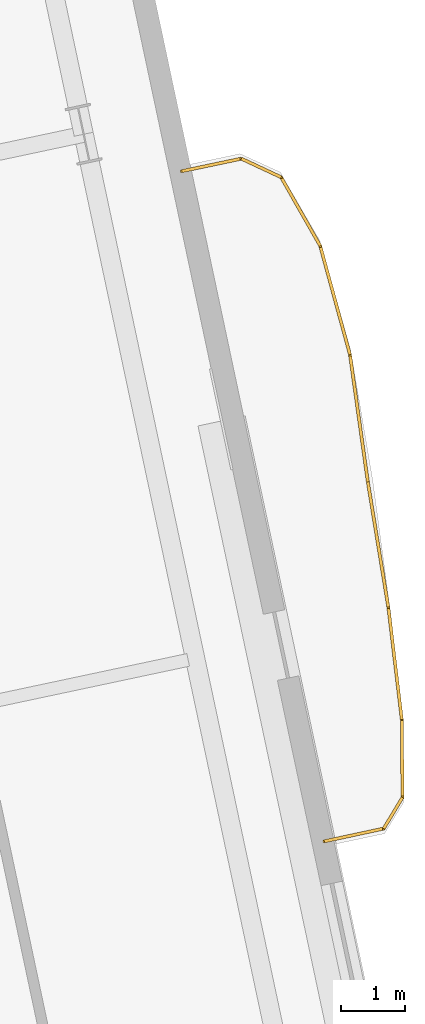
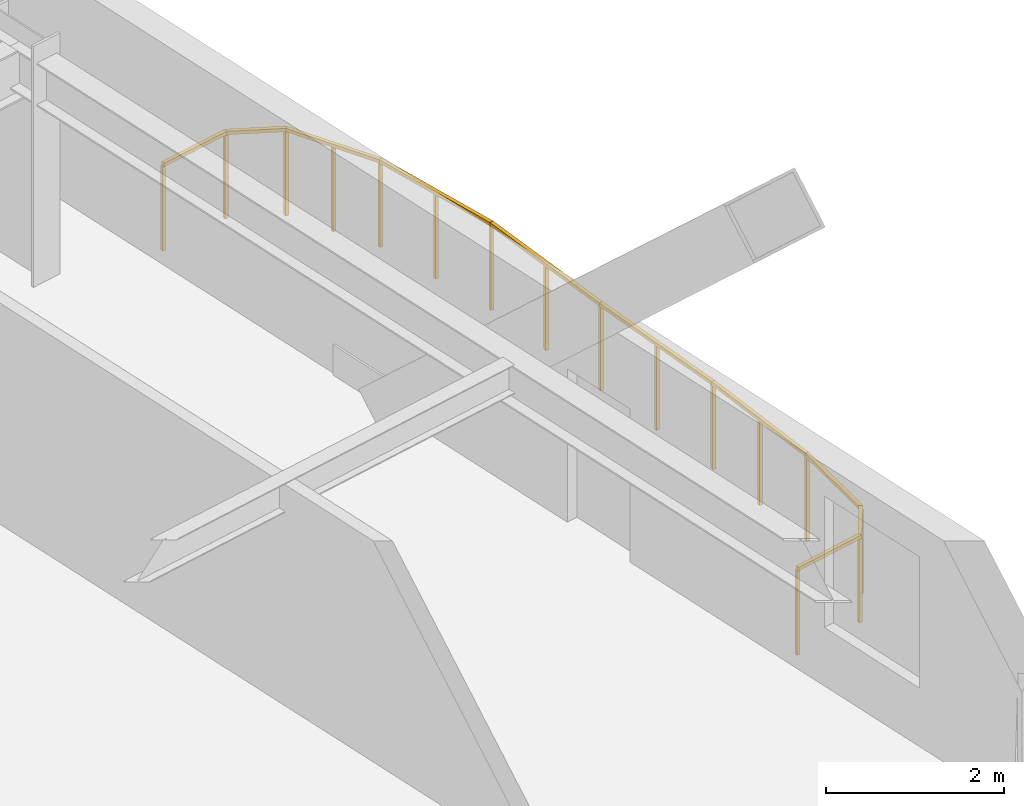
# One storey, part 17 of 17: 10 railings.
"""IFC4 building model written with IfcOpenShell, lengths in metres."""

from ifc_helpers import new_model, si_unit, direction, frame, origin, origin_2d, place, context, subcontext, project, spatial, rectangle, extrude, material, type_object, element, save


model = new_model("IFC4")

# Units and contexts
model_context = context("Model", 3, precision=1e-05, world=origin(), true_north=direction((0.0, 1.0)))
body_context = subcontext(model_context, "Body", "Model", "MODEL_VIEW")
ifc_project = project(units=[si_unit("LENGTHUNIT", "METRE"), si_unit("AREAUNIT", "SQUARE_METRE"), si_unit("VOLUMEUNIT", "CUBIC_METRE"), si_unit("PLANEANGLEUNIT", "RADIAN"), si_unit("MASSUNIT", "GRAM", prefix="KILO")], contexts=[model_context])

# Site, building, storey
site_placement = place(None, origin())
site = spatial("IfcSite", under=ifc_project, at=site_placement, CompositionType="ELEMENT")
building_placement = place(site_placement, origin())
building = spatial("IfcBuilding", under=site, at=building_placement, Name="Haevon Station Towers", CompositionType="ELEMENT")
storey_placement = place(building_placement, frame((0.0, 0.0, 40.5)))
storey = spatial("IfcBuildingStorey", under=building, at=storey_placement, Name="L09", CompositionType="ELEMENT", Elevation=40.5)

# Railings
ifc_material = material(Name="Steel S355", Category="steel")
railing_type = type_object("IfcRailingType", Name="GRD-EXT1200", PredefinedType="GUARDRAIL", material=ifc_material)
railing_1_placement = place(storey_placement, frame((138.47021484375, 28.175537109375, 0.0)))
element("IfcRailing", 1, at=railing_1_placement, inside=storey, type_object=railing_type, Name="L09 Perimeter Guardrail 1", PredefinedType="GUARDRAIL", context=body_context, shape_type="SweptSolid", body=[
    extrude(rectangle(XDim=0.048095703125, YDim=0.048095703125, at=origin_2d()), frame((0.0, 0.0, 1.17578125), z_axis=(0.977684892297, 0.210076774952, 0.0), x_axis=(-0.210076774952, 0.977684892297, 0.0)), (0.0, 0.0, 1.0), 0.943603515625),
    extrude(rectangle(XDim=0.0419921875, YDim=0.0419921875, at=origin_2d()), origin(), (0.0, 0.0, 1.0), 1.15185546875),
    extrude(rectangle(XDim=0.0419921875, YDim=0.0419921875, at=origin_2d()), frame((0.922607421875, 0.1982421875, 0.0)), (0.0, 0.0, 1.0), 1.15185546875),
])
railing_2_placement = place(storey_placement, frame((139.392822265625, 28.373779296875, 0.0)))
element("IfcRailing", 2, at=railing_2_placement, inside=storey, type_object=railing_type, Name="L09 Perimeter Guardrail 2", PredefinedType="GUARDRAIL", context=body_context, shape_type="SweptSolid", body=[
    extrude(rectangle(XDim=0.048095703125, YDim=0.048095703125, at=origin_2d()), frame((0.0, 0.0, 1.17578125), z_axis=(0.516725234501, 0.856151290386, 0.0), x_axis=(-0.856151290386, 0.516725234501, 0.0)), (0.0, 0.0, 1.0), 0.563232421875),
    extrude(rectangle(XDim=0.0419921875, YDim=0.0419921875, at=origin_2d()), origin(), (0.0, 0.0, 1.0), 1.15185546875),
    extrude(rectangle(XDim=0.0419921875, YDim=0.0419921875, at=origin_2d()), frame((0.291015625, 0.482177734375, 0.0)), (0.0, 0.0, 1.0), 1.15185546875),
])
railing_3_placement = place(storey_placement, frame((139.683837890625, 28.85595703125, 0.0)))
element("IfcRailing", 3, at=railing_3_placement, inside=storey, type_object=railing_type, Name="L09 Perimeter Guardrail 3", PredefinedType="GUARDRAIL", context=body_context, shape_type="SweptSolid", body=[
    extrude(rectangle(XDim=0.048095703125, YDim=0.048095703125, at=origin_2d()), frame((0.0, 0.0, 1.17578125), z_axis=(-0.006538478947, 0.999978623918, 0.0), x_axis=(-0.999978623918, -0.006538478947, 0.0)), (0.0, 0.0, 1.0), 1.19482421875),
    extrude(rectangle(XDim=0.0419921875, YDim=0.0419921875, at=origin_2d()), origin(), (0.0, 0.0, 1.0), 1.15185546875),
    extrude(rectangle(XDim=0.0419921875, YDim=0.0419921875, at=origin_2d()), frame((-0.0078125, 1.19482421875, 0.0)), (0.0, 0.0, 1.0), 1.15185546875),
])
railing_4_placement = place(storey_placement, frame((139.676025390625, 30.05078125, 0.0)))
element("IfcRailing", 4, at=railing_4_placement, inside=storey, type_object=railing_type, Name="L09 Perimeter Guardrail 4", PredefinedType="GUARDRAIL", context=body_context, shape_type="SweptSolid", body=[
    extrude(rectangle(XDim=0.048095703125, YDim=0.048095703125, at=origin_2d()), frame((0.0, 0.0, 1.17578125), z_axis=(-0.11880003649, 0.992918199717, 0.0), x_axis=(-0.992918199717, -0.11880003649, 0.0)), (0.0, 0.0, 1.0), 1.757080078125),
    extrude(rectangle(XDim=0.0419921875, YDim=0.0419921875, at=origin_2d()), origin(), (0.0, 0.0, 1.0), 1.15185546875),
    extrude(rectangle(XDim=0.0419921875, YDim=0.0419921875, at=origin_2d()), frame((-0.1044921875, 0.872314453125, 0.0)), (0.0, 0.0, 1.0), 1.15185546875),
    extrude(rectangle(XDim=0.0419921875, YDim=0.0419921875, at=origin_2d()), frame((-0.208740234375, 1.74462890625, 0.0)), (0.0, 0.0, 1.0), 1.15185546875),
])
railing_5_placement = place(storey_placement, frame((139.46728515625, 31.79541015625, 0.0)))
element("IfcRailing", 5, at=railing_5_placement, inside=storey, type_object=railing_type, Name="L09 Perimeter Guardrail 5", PredefinedType="GUARDRAIL", context=body_context, shape_type="SweptSolid", body=[
    extrude(rectangle(XDim=0.048095703125, YDim=0.048095703125, at=origin_2d()), frame((0.0, 0.0, 1.17578125), z_axis=(-0.161256217351, 0.986912575847, 0.0), x_axis=(-0.986912575847, -0.161256217351, 0.0)), (0.0, 0.0, 1.0), 1.990966796875),
    extrude(rectangle(XDim=0.0419921875, YDim=0.0419921875, at=origin_2d()), origin(), (0.0, 0.0, 1.0), 1.15185546875),
    extrude(rectangle(XDim=0.0419921875, YDim=0.0419921875, at=origin_2d()), frame((-0.16064453125, 0.982421875, 0.0)), (0.0, 0.0, 1.0), 1.15185546875),
    extrude(rectangle(XDim=0.0419921875, YDim=0.0419921875, at=origin_2d()), frame((-0.321044921875, 1.96484375, 0.0)), (0.0, 0.0, 1.0), 1.15185546875),
])
railing_6_placement = place(storey_placement, frame((139.146240234375, 33.76025390625, 0.0)))
element("IfcRailing", 6, at=railing_6_placement, inside=storey, type_object=railing_type, Name="L09 Perimeter Guardrail 6", PredefinedType="GUARDRAIL", context=body_context, shape_type="SweptSolid", body=[
    extrude(rectangle(XDim=0.048095703125, YDim=0.048095703125, at=origin_2d()), frame((0.0, 0.0, 1.17578125), z_axis=(-0.138938126286, 0.990301063851, 0.0), x_axis=(-0.990301063851, -0.138938126286, 0.0)), (0.0, 0.0, 1.0), 1.99609375),
    extrude(rectangle(XDim=0.0419921875, YDim=0.0419921875, at=origin_2d()), origin(), (0.0, 0.0, 1.0), 1.15185546875),
    extrude(rectangle(XDim=0.0419921875, YDim=0.0419921875, at=origin_2d()), frame((-0.138671875, 0.98828125, 0.0)), (0.0, 0.0, 1.0), 1.15185546875),
    extrude(rectangle(XDim=0.0419921875, YDim=0.0419921875, at=origin_2d()), frame((-0.27734375, 1.976806640625, 0.0)), (0.0, 0.0, 1.0), 1.15185546875),
])
railing_7_placement = place(storey_placement, frame((138.868896484375, 35.737060546875, 0.0)))
element("IfcRailing", 7, at=railing_7_placement, inside=storey, type_object=railing_type, Name="L09 Perimeter Guardrail 7", PredefinedType="GUARDRAIL", context=body_context, shape_type="SweptSolid", body=[
    extrude(rectangle(XDim=0.048095703125, YDim=0.048095703125, at=origin_2d()), frame((0.0, 0.0, 1.17578125), z_axis=(-0.264061044495, 0.964505969282, 0.0), x_axis=(-0.964505969282, -0.264061044495, 0.0)), (0.0, 0.0, 1.0), 1.751220703125),
    extrude(rectangle(XDim=0.0419921875, YDim=0.0419921875, at=origin_2d()), origin(), (0.0, 0.0, 1.0), 1.15185546875),
    extrude(rectangle(XDim=0.0419921875, YDim=0.0419921875, at=origin_2d()), frame((-0.231201171875, 0.844482421875, 0.0)), (0.0, 0.0, 1.0), 1.15185546875),
    extrude(rectangle(XDim=0.0419921875, YDim=0.0419921875, at=origin_2d()), frame((-0.46240234375, 1.68896484375, 0.0)), (0.0, 0.0, 1.0), 1.15185546875),
])
railing_8_placement = place(storey_placement, frame((138.406494140625, 37.426025390625, 0.0)))
element("IfcRailing", 8, at=railing_8_placement, inside=storey, type_object=railing_type, Name="L09 Perimeter Guardrail 8", PredefinedType="GUARDRAIL", context=body_context, shape_type="SweptSolid", body=[
    extrude(rectangle(XDim=0.048095703125, YDim=0.048095703125, at=origin_2d()), frame((0.0, 0.0, 1.17578125), z_axis=(-0.494703008184, 0.869062100022, 0.0), x_axis=(-0.869062100022, -0.494703008184, 0.0)), (0.0, 0.0, 1.0), 1.227294921875),
    extrude(rectangle(XDim=0.0419921875, YDim=0.0419921875, at=origin_2d()), origin(), (0.0, 0.0, 1.0), 1.15185546875),
    extrude(rectangle(XDim=0.0419921875, YDim=0.0419921875, at=origin_2d()), frame((-0.3037109375, 0.533203125, 0.0)), (0.0, 0.0, 1.0), 1.15185546875),
    extrude(rectangle(XDim=0.0419921875, YDim=0.0419921875, at=origin_2d()), frame((-0.607177734375, 1.066650390625, 0.0)), (0.0, 0.0, 1.0), 1.15185546875),
])
railing_9_placement = place(storey_placement, frame((137.79931640625, 38.49267578125, 0.0)))
element("IfcRailing", 9, at=railing_9_placement, inside=storey, type_object=railing_type, Name="L09 Perimeter Guardrail 9", PredefinedType="GUARDRAIL", context=body_context, shape_type="SweptSolid", body=[
    extrude(rectangle(XDim=0.048095703125, YDim=0.048095703125, at=origin_2d()), frame((0.0, 0.0, 1.17578125), z_axis=(-0.906119182037, 0.423022491062, 0.0), x_axis=(-0.423022491062, -0.906119182037, 0.0)), (0.0, 0.0, 1.0), 0.682861328125),
    extrude(rectangle(XDim=0.0419921875, YDim=0.0419921875, at=origin_2d()), origin(), (0.0, 0.0, 1.0), 1.15185546875),
    extrude(rectangle(XDim=0.0419921875, YDim=0.0419921875, at=origin_2d()), frame((-0.61865234375, 0.288818359375, 0.0)), (0.0, 0.0, 1.0), 1.15185546875),
])
railing_10_placement = place(storey_placement, frame((137.1806640625, 38.781494140625, 0.0)))
element("IfcRailing", 10, at=railing_10_placement, inside=storey, type_object=railing_type, Name="L09 Perimeter Guardrail 10", PredefinedType="GUARDRAIL", context=body_context, shape_type="SweptSolid", body=[
    extrude(rectangle(XDim=0.048095703125, YDim=0.048095703125, at=origin_2d()), frame((0.0, 0.0, 1.17578125), z_axis=(-0.978571736022, -0.205906186062, 0.0), x_axis=(0.205906186062, -0.978571736022, 0.0)), (0.0, 0.0, 1.0), 0.94384765625),
    extrude(rectangle(XDim=0.0419921875, YDim=0.0419921875, at=origin_2d()), origin(), (0.0, 0.0, 1.0), 1.15185546875),
    extrude(rectangle(XDim=0.0419921875, YDim=0.0419921875, at=origin_2d()), frame((-0.923583984375, -0.1943359375, 0.0)), (0.0, 0.0, 1.0), 1.15185546875),
])

save(model, "model.ifc")
